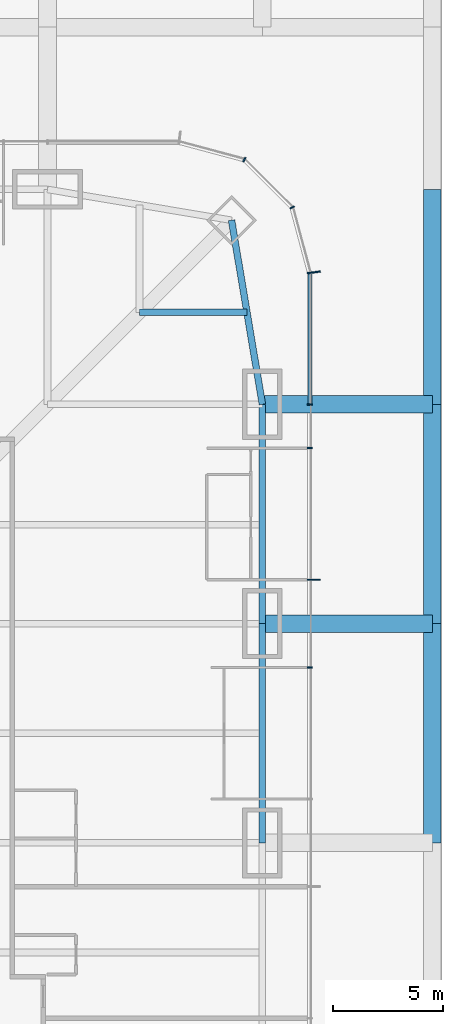
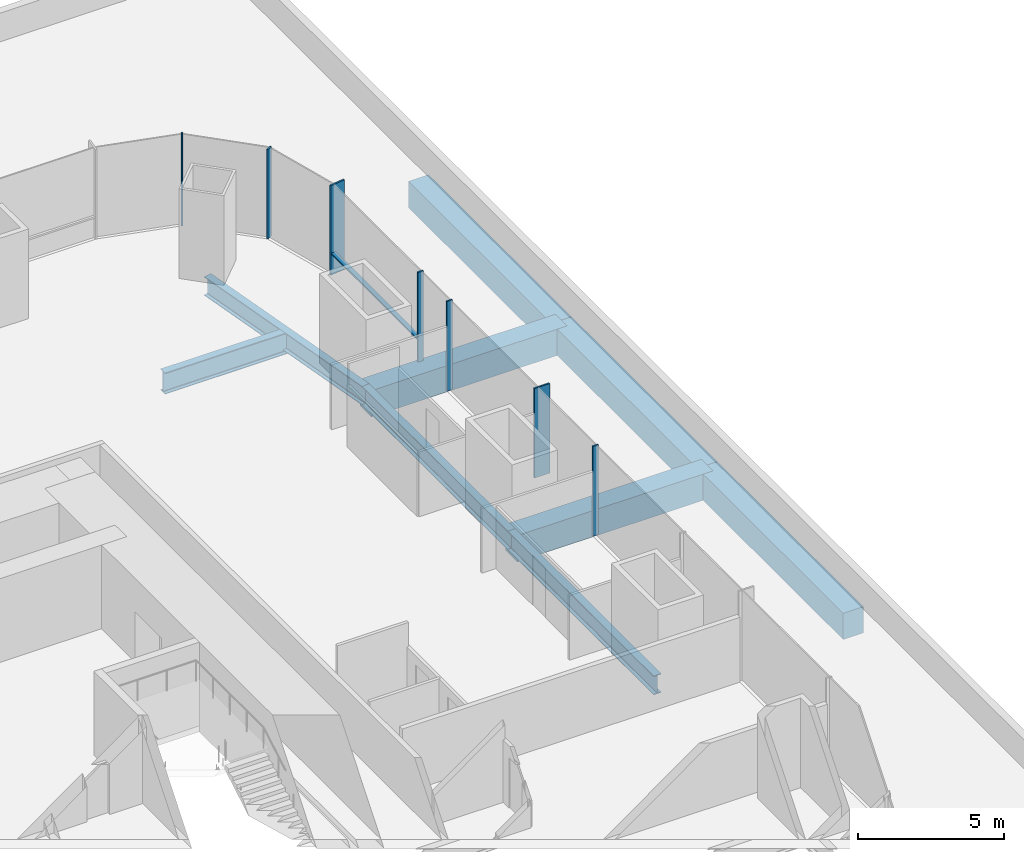
# One storey, part 9 of 20: 9 beams, 8 members, 2 elements without a shape of their own.
"""IFC4 building model written with IfcOpenShell, lengths in metres."""

import ifcopenshell
import ifcopenshell.guid

model = None  # the IFC model being written
_history = None  # IfcOwnerHistory: only IFC2X3 demands one
_inside = {}  # id of a spatial element -> (the spatial element, [elements in it])
_under = {}  # id of a project, library or spatial element -> (it, [spatial elements below it])
_declared = {}  # id of a project -> (the project, [libraries it declares])
_typed = {}  # id of a type object -> (the type object, [elements of that type])
_made_of = {}  # id of a material, layer set ... -> (it, [elements and type objects made of it])


def new_model(schema):
    """Start an empty IFC model of exactly this schema.

    Asked for "IFC4X3", IfcOpenShell would pick the latest addendum, in which some entities
    have other attributes; the version numbers below select the first issue.
    IFC2X3 requires an IfcOwnerHistory on every rooted entity: one is made here for all.
    """
    global model, _history
    if schema == "IFC4X3":
        model = ifcopenshell.file(schema_version=(4, 3, 0, 0))
    else:
        model = ifcopenshell.file(schema=schema)
    _inside.clear()
    _under.clear()
    _declared.clear()
    _typed.clear()
    _made_of.clear()
    _history = None
    if model.schema == "IFC2X3":
        org = make("IfcOrganization", Name="unknown")
        user = make(
            "IfcPersonAndOrganization",
            ThePerson=make("IfcPerson", FamilyName="unknown"),
            TheOrganization=org,
        )
        app = make(
            "IfcApplication",
            ApplicationDeveloper=org,
            Version="unknown",
            ApplicationFullName="unknown",
            ApplicationIdentifier="unknown",
        )
        _history = make(
            "IfcOwnerHistory",
            OwningUser=user,
            OwningApplication=app,
            ChangeAction="ADDED",
            CreationDate=0,
        )
    return model


def make(cls, **values):
    """One entity of the class cls with the attributes given. An attribute that is None is left unset."""
    return model.create_entity(
        cls, **{name: value for name, value in values.items() if value is not None}
    )


def rooted(cls, **values):
    """An entity with a GlobalId (a new one), such as an element, a storey or a relation."""
    return make(cls, GlobalId=ifcopenshell.guid.new(), OwnerHistory=_history, **values)


def si_unit(unit_type, name, prefix=None):
    """IfcSIUnit, for example si_unit("LENGTHUNIT", "METRE", prefix="MILLI")."""
    return make("IfcSIUnit", UnitType=unit_type, Prefix=prefix, Name=name)


def assignment(units):
    """IfcUnitAssignment: the units of a project."""
    return None if units is None else make("IfcUnitAssignment", Units=units)


def point(xyz):
    """IfcCartesianPoint."""
    return None if xyz is None else make("IfcCartesianPoint", Coordinates=xyz)


def direction(xyz):
    """IfcDirection."""
    return None if xyz is None else make("IfcDirection", DirectionRatios=xyz)


def frame(location, z_axis=None, x_axis=None):
    """IfcAxis2Placement3D, a coordinate frame: its origin and axes. An axis left out is left unset."""
    return make(
        "IfcAxis2Placement3D",
        Location=point(location),
        Axis=direction(z_axis),
        RefDirection=direction(x_axis),
    )


def frame_2d(location, x_axis=None):
    """IfcAxis2Placement2D, a coordinate frame in the plane: its origin and x axis."""
    return make(
        "IfcAxis2Placement2D", Location=point(location), RefDirection=direction(x_axis)
    )


def origin():
    """The frame at (0, 0, 0) with its axes left unset."""
    return frame((0.0, 0.0, 0.0))


def origin_2d():
    """The frame at (0, 0) in the plane with its x axis left unset."""
    return frame_2d((0.0, 0.0))


def place(relative_to, where):
    """IfcLocalPlacement: puts the frame where relative to a parent placement (None: the world)."""
    return make(
        "IfcLocalPlacement", PlacementRelTo=relative_to, RelativePlacement=where
    )


def context(
    kind, dimensions, precision=None, world=None, true_north=None, identifier=None
):
    """IfcGeometricRepresentationContext, for example the 3D "Model" context."""
    return make(
        "IfcGeometricRepresentationContext",
        ContextIdentifier=identifier,
        ContextType=kind,
        CoordinateSpaceDimension=dimensions,
        Precision=precision,
        WorldCoordinateSystem=world,
        TrueNorth=true_north,
    )


def subcontext(parent, identifier, kind, view, scale=None):
    """IfcGeometricRepresentationSubContext, for example "Body" below "Model"."""
    return make(
        "IfcGeometricRepresentationSubContext",
        ContextIdentifier=identifier,
        ContextType=kind,
        ParentContext=parent,
        TargetScale=scale,
        TargetView=view,
    )


def project(units=None, contexts=None):
    """IfcProject with its units and contexts."""
    return rooted(
        "IfcProject",
        Name="project",
        RepresentationContexts=contexts,
        UnitsInContext=assignment(units),
    )


def spatial(cls, under=None, at=None, **own):
    """A site, building, storey or space (cls), placed at a placement, below another one or the project."""
    s = rooted(cls, ObjectPlacement=at, **own)
    if under is not None:
        _under.setdefault(under.id(), (under, []))[1].append(s)
    return s


def profile(cls, at=None, kind="AREA", **sizes):
    """A parametric profile (cls). Its sizes go by their IFC names, for example OverallWidth=200.0."""
    return make(cls, ProfileType=kind, Position=at, **sizes)


def rectangle(**sizes):
    """IfcRectangleProfileDef."""
    return profile("IfcRectangleProfileDef", **sizes)


def i_section(**sizes):
    """IfcIShapeProfileDef."""
    return profile("IfcIShapeProfileDef", **sizes)


def extrude(swept, where, along, depth):
    """IfcExtrudedAreaSolid: the profile swept, set in the frame where, extruded along a direction by depth."""
    return make(
        "IfcExtrudedAreaSolid",
        SweptArea=swept,
        Position=where,
        ExtrudedDirection=direction(along),
        Depth=depth,
    )


def shape(context_of_items, identifier, shape_type, items):
    """IfcShapeRepresentation: the items that make up one representation, for example the "Body"."""
    return make(
        "IfcShapeRepresentation",
        ContextOfItems=context_of_items,
        RepresentationIdentifier=identifier,
        RepresentationType=shape_type,
        Items=items,
    )


def material(Name=None, Category=None):
    """IfcMaterial."""
    return make("IfcMaterial", Name=Name, Category=Category)


def material_profile(
    of_material, cross_section, Name=None, Category=None, Priority=None
):
    """IfcMaterialProfile: a cross section and its material."""
    return make(
        "IfcMaterialProfile",
        Name=Name,
        Material=of_material,
        Profile=cross_section,
        Priority=Priority,
        Category=Category,
    )


def profile_set(profiles, Name=None, composite=None):
    """IfcMaterialProfileSet."""
    return make(
        "IfcMaterialProfileSet",
        Name=Name,
        MaterialProfiles=profiles,
        CompositeProfile=composite,
    )


def made_of(thing, what):
    """Note that an element or type object is made of a material, layer set ...; save() writes the relation."""
    if what is not None:
        _made_of.setdefault(what.id(), (what, []))[1].append(thing)
    return thing


def type_object(cls, material=None, **own):
    """A type object (cls), such as IfcWallType, which elements share."""
    return made_of(rooted(cls, **own), material)


def element(
    cls,
    number,
    at=None,
    inside=None,
    cuts=None,
    type_object=None,
    material=None,
    context=None,
    identifier="Body",
    shape_type=None,
    held_by="IfcProductDefinitionShape",
    body=None,
    shapes=None,
    **own,
):
    """One element of the class cls, such as IfcWall. Its Tag is "e" and its number.

    at: its placement. inside: the storey or other place that contains it. cuts: it is an
    opening in that element (IfcRelVoidsElement). A single representation is given by context,
    identifier, shape_type and body (its items); several are given by shapes. held_by: the class
    of the entity that holds the representations. save() writes the other relations.
    """
    e = rooted(cls, Tag="e%d" % number, ObjectPlacement=at, **own)
    if body is not None:
        shapes = [shape(context, identifier, shape_type, body)]
    if shapes is not None:
        e.Representation = make(held_by, Representations=shapes)
    if inside is not None:
        _inside.setdefault(inside.id(), (inside, []))[1].append(e)
    if cuts is not None:
        rooted(
            "IfcRelVoidsElement", RelatingBuildingElement=cuts, RelatedOpeningElement=e
        )
    if type_object is not None:
        _typed.setdefault(type_object.id(), (type_object, []))[1].append(e)
    return made_of(e, material)


def aggregate(whole, parts):
    """IfcRelAggregates: a whole, such as a stair, and the parts it consists of."""
    return rooted("IfcRelAggregates", RelatingObject=whole, RelatedObjects=parts)


def save(model, path):
    """Write the relations noted so far, then the file.

    IfcRelAggregates (storeys below a building ...), IfcRelContainedInSpatialStructure (elements
    in a storey), IfcRelDefinesByType, IfcRelAssociatesMaterial and IfcRelDeclares: one each for
    every whole, place, type object, material and project.
    """
    for whole, parts in _under.values():
        aggregate(whole, parts)
    for where, things in _inside.values():
        rooted(
            "IfcRelContainedInSpatialStructure",
            RelatedElements=things,
            RelatingStructure=where,
        )
    for kind, things in _typed.values():
        rooted("IfcRelDefinesByType", RelatedObjects=things, RelatingType=kind)
    for what, things in _made_of.values():
        rooted("IfcRelAssociatesMaterial", RelatedObjects=things, RelatingMaterial=what)
    for by, libraries in _declared.values():
        rooted("IfcRelDeclares", RelatingContext=by, RelatedDefinitions=libraries)
    model.write(path)


model = new_model("IFC4")

# Units and contexts
model_context = context("Model", 3, precision=1e-05, world=origin(), true_north=direction((0.0, 1.0)))
body_context = subcontext(model_context, "Body", "Model", "MODEL_VIEW")
ifc_project = project(units=[si_unit("LENGTHUNIT", "METRE"), si_unit("AREAUNIT", "SQUARE_METRE"), si_unit("VOLUMEUNIT", "CUBIC_METRE"), si_unit("PLANEANGLEUNIT", "RADIAN"), si_unit("MASSUNIT", "GRAM", prefix="KILO")], contexts=[model_context])

# Site, building, storey
site_placement = place(None, origin())
site = spatial("IfcSite", under=ifc_project, at=site_placement, CompositionType="ELEMENT")
building_placement = place(site_placement, origin())
building = spatial("IfcBuilding", under=site, at=building_placement, Name="Khuree Lantern Residences", CompositionType="ELEMENT")
storey_placement = place(building_placement, frame((0.0, 0.0, 21.0)))
storey = spatial("IfcBuildingStorey", under=building, at=storey_placement, Name="L04", CompositionType="ELEMENT", Elevation=21.0)

# Beams
ifc_material_1 = material(Name="Steel S355", Category="steel")
ifc_material_profile_1 = material_profile(ifc_material_1, i_section(OverallWidth=0.300048828125, OverallDepth=0.889892578125, WebThickness=0.01611328125, FlangeThickness=0.030029296875, FilletRadius=0.030029296875, at=origin_2d()), Name="HE 900 A")
ifc_profile_set_1 = profile_set([ifc_material_profile_1], Name="Steel S355")
beam_type_1 = type_object("IfcBeamType", Name="B-11 SECONDARY BEAM HE 900 A", PredefinedType="BEAM", material=ifc_profile_set_1)
beam_1_placement = place(storey_placement, frame((29.09716796875, 24.197021484375, -0.695068359375), z_axis=(-1.0, 0.0, 0.0), x_axis=(0.0, -1.0, 0.0)))
element("IfcBeam", 1, at=beam_1_placement, inside=storey, type_object=beam_type_1, Name="Secondary beam E1", PredefinedType="BEAM", context=body_context, shape_type="SweptSolid", body=[
    extrude(i_section(OverallWidth=0.300048828125, OverallDepth=0.889892578125, WebThickness=0.01611328125, FlangeThickness=0.030029296875, FilletRadius=0.030029296875, at=origin_2d()), origin(), (0.0, 0.0, 1.0), 4.900146484375),
])
ifc_material_profile_2 = material_profile(ifc_material_1, i_section(OverallWidth=0.300048828125, OverallDepth=0.7900390625, WebThickness=0.014892578125, FlangeThickness=0.028076171875, FilletRadius=0.030029296875, at=origin_2d()), Name="HE 800 A")
ifc_profile_set_2 = profile_set([ifc_material_profile_2], Name="Steel S355")
beam_type_2 = type_object("IfcBeamType", Name="E-11 SPANDREL BEAM HE 800 A", PredefinedType="SPANDREL", material=ifc_profile_set_2)
beam_2_placement = place(storey_placement, frame((28.39404296875, 28.39404296875, -0.64501953125), z_axis=(0.165199022349, -0.986260251158, 0.0), x_axis=(0.986260251158, 0.165199022349, 0.0)))
element("IfcBeam", 2, at=beam_2_placement, inside=storey, type_object=beam_type_2, Name="Spandrel beam E1", PredefinedType="SPANDREL", context=body_context, shape_type="SweptSolid", body=[
    extrude(i_section(OverallWidth=0.300048828125, OverallDepth=0.7900390625, WebThickness=0.014892578125, FlangeThickness=0.028076171875, FilletRadius=0.030029296875, at=origin_2d()), origin(), (0.0, 0.0, 1.0), 8.510986328125),
])
for number, where, z_axis, x_axis, name in (
    (3, (29.800048828125, 20.0, -0.64501953125), (0.0, -1.0, 0.0), (1.0, 0.0, 0.0), "Spandrel beam E2"),
    (4, (29.800048828125, 10.0, -0.64501953125), (0.0, -1.0, 0.0), (1.0, 0.0, 0.0), "Spandrel beam E3"),
):
    element("IfcBeam", number, at=place(storey_placement, frame(where, z_axis=z_axis, x_axis=x_axis)), inside=storey, type_object=beam_type_2, Name=name, PredefinedType="SPANDREL", context=body_context, shape_type="SweptSolid", body=[
        extrude(i_section(OverallWidth=0.300048828125, OverallDepth=0.7900390625, WebThickness=0.014892578125, FlangeThickness=0.028076171875, FilletRadius=0.030029296875, at=origin_2d()), origin(), (0.0, 0.0, 1.0), 10.0),
    ])

# Curtain wall, member
ifc_material_2 = material(Name="Bronze anodised aluminium", Category="aluminium")
curtain_wall_type_1 = type_object("IfcCurtainWallType", Name="CW-T1 TOWER FACE CURTAIN WALL", PredefinedType="USERDEFINED", material=ifc_material_2)
curtain_wall_1_placement = place(storey_placement, origin())
curtain_wall_1 = element("IfcCurtainWall", 5, at=curtain_wall_1_placement, inside=storey, type_object=curtain_wall_type_1, Name="L04 EAST FACE CURTAIN WALL", ObjectType="Stick-built curtain wall", PredefinedType="USERDEFINED")
ifc_material_profile_3 = material_profile(ifc_material_2, rectangle(XDim=0.06494140625, YDim=0.60009765625, at=origin_2d()), Name="F1 65X600")
ifc_profile_set_3 = profile_set([ifc_material_profile_3], Name="Bronze anodised aluminium")
member_type_1 = type_object("IfcMemberType", Name="F1 BRONZE FIN MULLION TOWER 65X600", PredefinedType="MULLION", material=ifc_profile_set_3)
member_1_placement = place(storey_placement, frame((32.14990234375, 12.0, 0.0), z_axis=(0.0, 0.0, 1.0), x_axis=(0.0, 1.0, 0.0)))
member_1 = element("IfcMember", 6, at=member_1_placement, type_object=member_type_1, Name="L04 EAST FACE FIN MULLION 12", PredefinedType="MULLION", context=body_context, shape_type="SweptSolid", body=[
    extrude(rectangle(XDim=0.06494140625, YDim=0.60009765625, at=origin_2d()), origin(), (0.0, 0.0, 1.0), 3.75),
])

curtain_wall_type_2 = type_object("IfcCurtainWallType", Name="CW-T2 TOWER CORNER CURTAIN WALL", PredefinedType="USERDEFINED", material=ifc_material_2)
curtain_wall_2_placement = place(storey_placement, origin())
curtain_wall_2 = element("IfcCurtainWall", 7, at=curtain_wall_2_placement, inside=storey, type_object=curtain_wall_type_2, Name="L04 NORTH-EAST CORNER CURTAIN WALL", ObjectType="Faceted corner curtain wall", PredefinedType="USERDEFINED")
member_2_placement = place(storey_placement, frame((32.150146484375, 26.019775390625, 0.0), z_axis=(0.0, 0.0, 1.0), x_axis=(-0.130526257387, 0.991444852794, 0.0)))
member_2 = element("IfcMember", 8, at=member_2_placement, type_object=member_type_1, Name="L04 NORTH-EAST CORNER FIN MULLION 15", PredefinedType="MULLION", context=body_context, shape_type="SweptSolid", body=[
    extrude(rectangle(XDim=0.06494140625, YDim=0.60009765625, at=origin_2d()), origin(), (0.0, 0.0, 1.0), 3.75),
])

# Member
ifc_material_profile_4 = material_profile(ifc_material_2, rectangle(XDim=0.06494140625, YDim=0.219970703125, at=origin_2d()), Name="M1 65X220")
ifc_profile_set_4 = profile_set([ifc_material_profile_4], Name="Bronze anodised aluminium")
member_type_2 = type_object("IfcMemberType", Name="M1 BRONZE MULLION TOWER 65X220", PredefinedType="MULLION", material=ifc_profile_set_4)
member_3_placement = place(storey_placement, frame((31.9599609375, 8.0, 0.0), z_axis=(0.0, 0.0, 1.0), x_axis=(0.0, 1.0, 0.0)))
member_3 = element("IfcMember", 9, at=member_3_placement, type_object=member_type_2, Name="L04 EAST FACE MULLION 11", PredefinedType="MULLION", context=body_context, shape_type="SweptSolid", body=[
    extrude(rectangle(XDim=0.06494140625, YDim=0.219970703125, at=origin_2d()), origin(), (0.0, 0.0, 1.0), 3.75),
])

member_4_placement = place(storey_placement, frame((31.9599609375, 18.0, 0.0), z_axis=(0.0, 0.0, 1.0), x_axis=(0.0, 1.0, 0.0)))
member_4 = element("IfcMember", 10, at=member_4_placement, type_object=member_type_2, Name="L04 EAST FACE MULLION 13", PredefinedType="MULLION", context=body_context, shape_type="SweptSolid", body=[
    extrude(rectangle(XDim=0.06494140625, YDim=0.219970703125, at=origin_2d()), origin(), (0.0, 0.0, 1.0), 3.75),
])

member_5_placement = place(storey_placement, frame((31.9599609375, 20.0, 0.0), z_axis=(0.0, 0.0, 1.0), x_axis=(0.0, 1.0, 0.0)))
member_5 = element("IfcMember", 11, at=member_5_placement, type_object=member_type_2, Name="L04 EAST FACE MULLION 14", PredefinedType="MULLION", context=body_context, shape_type="SweptSolid", body=[
    extrude(rectangle(XDim=0.06494140625, YDim=0.219970703125, at=origin_2d()), origin(), (0.0, 0.0, 1.0), 3.75),
])

member_6_placement = place(storey_placement, frame((31.16162109375, 28.97998046875, 0.0), z_axis=(0.0, 0.0, 1.0), x_axis=(-0.500000056923, 0.86602537092, 0.0)))
member_6 = element("IfcMember", 12, at=member_6_placement, type_object=member_type_2, Name="L04 NORTH-EAST CORNER MULLION 16", PredefinedType="MULLION", context=body_context, shape_type="SweptSolid", body=[
    extrude(rectangle(XDim=0.06494140625, YDim=0.219970703125, at=origin_2d()), origin(), (0.0, 0.0, 1.0), 3.75),
])

member_7_placement = place(storey_placement, frame((28.97998046875, 31.16162109375, 0.0), z_axis=(0.0, 0.0, 1.0), x_axis=(-0.86602537092, 0.500000056923, 0.0)))
member_7 = element("IfcMember", 13, at=member_7_placement, type_object=member_type_2, Name="L04 NORTH-EAST CORNER MULLION 17", PredefinedType="MULLION", context=body_context, shape_type="SweptSolid", body=[
    extrude(rectangle(XDim=0.06494140625, YDim=0.219970703125, at=origin_2d()), origin(), (0.0, 0.0, 1.0), 3.75),
])

aggregate(curtain_wall_2, [member_2, member_6, member_7])

# Beams
ifc_material_3 = material(Name="Concrete C40/50", Category="concrete")
ifc_material_profile_5 = material_profile(ifc_material_3, rectangle(XDim=0.800048828125, YDim=1.10009765625, at=origin_2d()), Name="RC 800X1100")
ifc_profile_set_5 = profile_set([ifc_material_profile_5], Name="Concrete C40/50")
beam_type_3 = type_object("IfcBeamType", Name="RB4 PODIUM ROOF BEAM RC 800X1100", PredefinedType="BEAM", material=ifc_profile_set_5)
for number, where, z_axis, x_axis, name in (
    (14, (29.800048828125, 10.0, -0.800048828125), (1.0, 0.0, 0.0), (0.0, 1.0, 0.0), "Podium roof beam RB-8"),
    (15, (29.800048828125, 20.0, -0.800048828125), (1.0, 0.0, 0.0), (0.0, 1.0, 0.0), "Podium roof beam RB-10"),
):
    element("IfcBeam", number, at=place(storey_placement, frame(where, z_axis=z_axis, x_axis=x_axis)), inside=storey, type_object=beam_type_3, Name=name, PredefinedType="BEAM", context=body_context, shape_type="SweptSolid", body=[
        extrude(rectangle(XDim=0.800048828125, YDim=1.10009765625, at=origin_2d()), origin(), (0.0, 0.0, 1.0), 7.75),
    ])
for number, where, z_axis, x_axis, name in (
    (16, (37.550048828125, 0.0, -0.800048828125), (0.0, 1.0, 0.0), (-1.0, 0.0, 0.0), "Podium roof beam RB-50"),
    (17, (37.550048828125, 10.0, -0.800048828125), (0.0, 1.0, 0.0), (-1.0, 0.0, 0.0), "Podium roof beam RB-51"),
):
    element("IfcBeam", number, at=place(storey_placement, frame(where, z_axis=z_axis, x_axis=x_axis)), inside=storey, type_object=beam_type_3, Name=name, PredefinedType="BEAM", context=body_context, shape_type="SweptSolid", body=[
        extrude(rectangle(XDim=0.800048828125, YDim=1.10009765625, at=origin_2d()), origin(), (0.0, 0.0, 1.0), 10.0),
    ])
beam_3_placement = place(storey_placement, frame((37.550048828125, 20.0, -0.800048828125), z_axis=(0.0, 1.0, 0.0), x_axis=(-1.0, 0.0, 0.0)))
element("IfcBeam", 18, at=beam_3_placement, inside=storey, type_object=beam_type_3, Name="Podium roof beam RB-52", PredefinedType="BEAM", context=body_context, shape_type="SweptSolid", body=[
    extrude(rectangle(XDim=0.800048828125, YDim=1.10009765625, at=origin_2d()), origin(), (0.0, 0.0, 1.0), 9.800048828125),
])

# Member
ifc_material_profile_6 = material_profile(ifc_material_2, rectangle(XDim=0.179931640625, YDim=0.06494140625, at=origin_2d()), Name="T1 180X65")
ifc_profile_set_6 = profile_set([ifc_material_profile_6], Name="Bronze anodised aluminium")
member_type_3 = type_object("IfcMemberType", Name="TRANSOM T1 TOWER 180X65", PredefinedType="USERDEFINED", material=ifc_profile_set_6)
member_8_placement = place(storey_placement, frame((31.969970703125, 20.032470703125, 0.89990234375), z_axis=(0.0, 1.0, 0.0), x_axis=(-1.0, 0.0, 0.0)))
member_8 = element("IfcMember", 19, at=member_8_placement, type_object=member_type_3, Name="L04 EAST FACE TRANSOM 14.1", ObjectType="Transom", PredefinedType="USERDEFINED", context=body_context, shape_type="SweptSolid", body=[
    extrude(rectangle(XDim=0.179931640625, YDim=0.06494140625, at=origin_2d()), origin(), (0.0, 0.0, 1.0), 5.9189453125),
])

aggregate(curtain_wall_1, [member_3, member_1, member_4, member_5, member_8])

save(model, "model.ifc")
